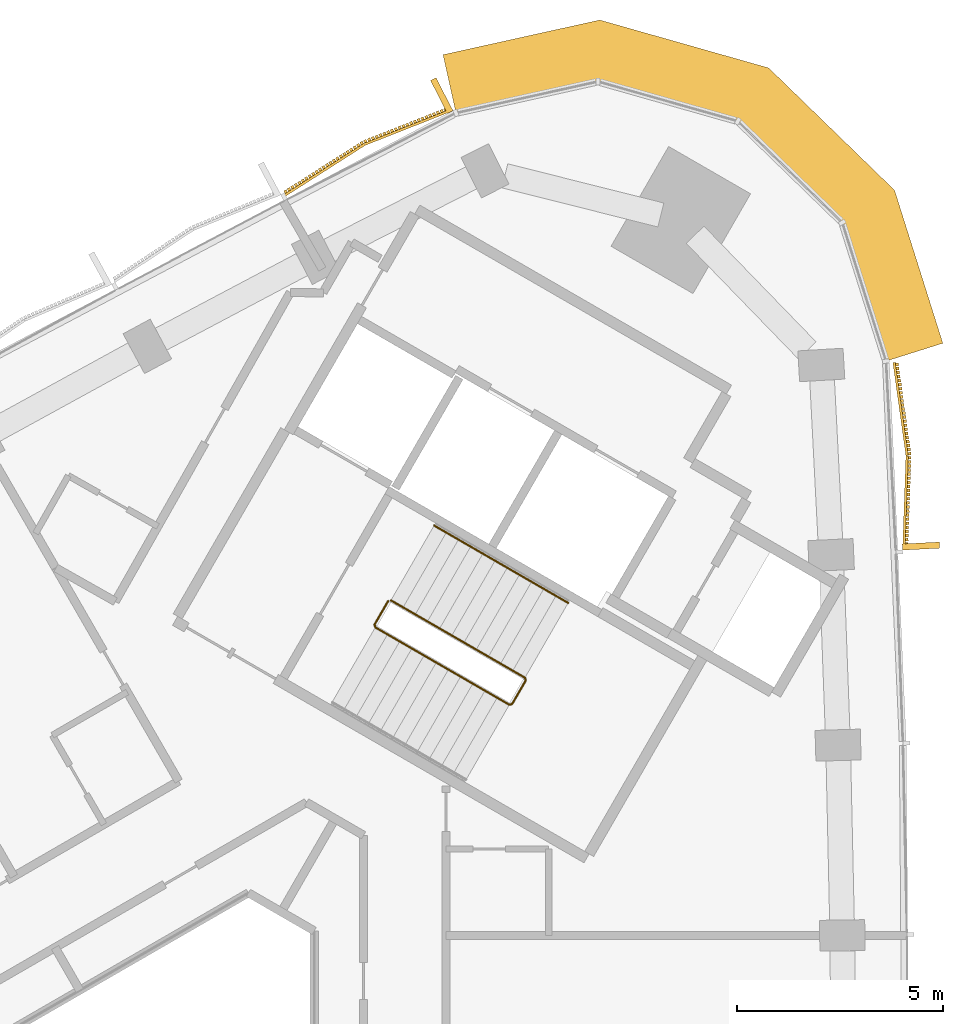
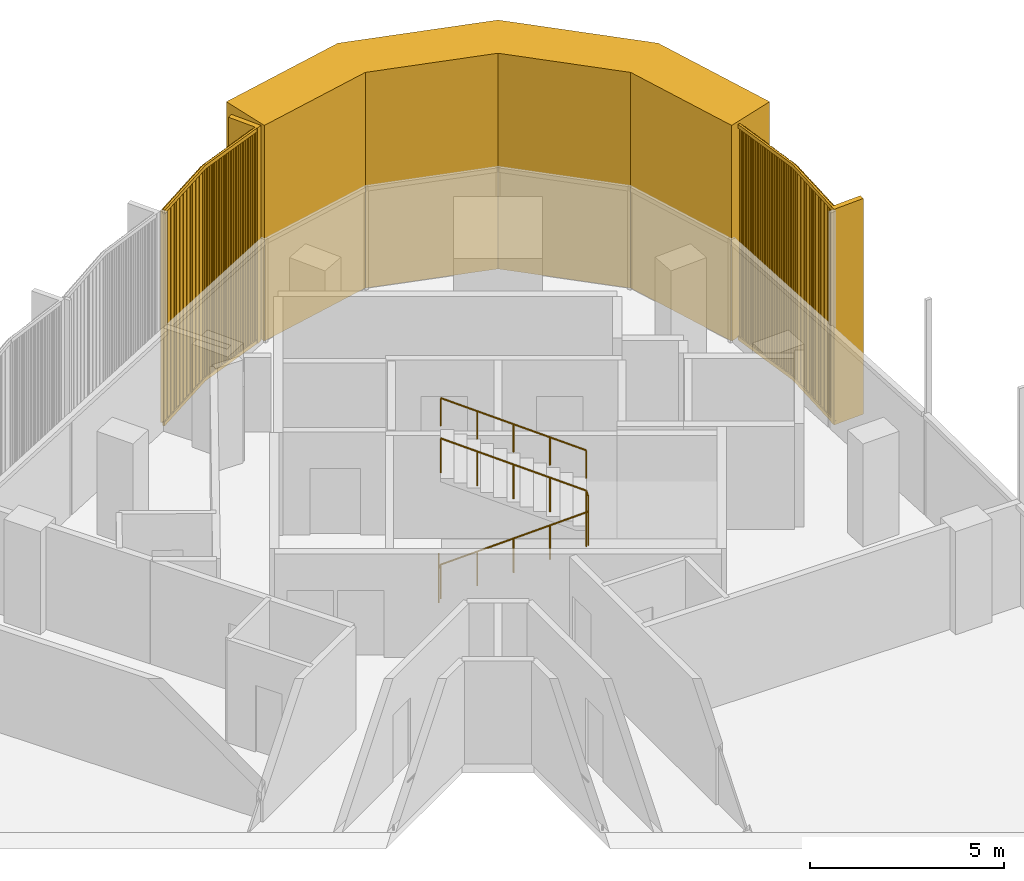
# One storey, part 14 of 14: 3 coverings, 2 railings.
"""IFC4 building model written with IfcOpenShell, lengths in metres."""

from ifc_helpers import new_model, si_unit, direction, frame, frame_2d, origin, origin_2d, place, context, subcontext, project, spatial, polyline, rectangle, circle, outline, extrude, source, transform, mapped, material, layer, layer_set, type_object, element, save


model = new_model("IFC4")

# Units and contexts
model_context = context("Model", 3, precision=1e-05, world=origin(), true_north=direction((0.0, 1.0)))
body_context = subcontext(model_context, "Body", "Model", "MODEL_VIEW")
ifc_project = project(units=[si_unit("LENGTHUNIT", "METRE"), si_unit("AREAUNIT", "SQUARE_METRE"), si_unit("VOLUMEUNIT", "CUBIC_METRE"), si_unit("PLANEANGLEUNIT", "RADIAN"), si_unit("MASSUNIT", "GRAM", prefix="KILO")], contexts=[model_context])

# Site, building, storey
site_placement = place(None, origin())
site = spatial("IfcSite", under=ifc_project, at=site_placement, CompositionType="ELEMENT")
building_placement = place(site_placement, origin())
building = spatial("IfcBuilding", under=site, at=building_placement, Name="Tamra Quay Hotel Tower", CompositionType="ELEMENT")
storey_placement = place(building_placement, frame((0.0, 0.0, 250.199951171875)))
storey = spatial("IfcBuildingStorey", under=building, at=storey_placement, Name="L63", CompositionType="ELEMENT", Elevation=250.199951171875)

# Covering
ifc_material_1 = material(Name="Precast concrete M60 terracotta-coloured", Category="masonry")
ifc_layer = layer(ifc_material_1, 1.449951171875)
ifc_layer_set = layer_set([ifc_layer], Name="CORNER PIER PANEL")
covering_type_1 = type_object("IfcCoveringType", Name="CORNER PIER PANEL", PredefinedType="CLADDING", material=ifc_layer_set)
covering_1_placement = place(storey_placement, origin())
element("IfcCovering", 1, at=covering_1_placement, inside=storey, type_object=covering_type_1, Name="Corner pier L63.east", PredefinedType="CLADDING", context=body_context, shape_type="SweptSolid", body=[
    extrude(outline(polyline([(17.69677734375, 18.5830078125), (19.07958984375, 19.019287109375), (17.90576171875, 22.739501953125), (14.844970703125, 25.712158203125), (10.739990234375, 26.876708984375), (6.931396484375, 26.033203125), (7.244873046875, 24.617431640625), (10.6962890625, 25.3818359375), (14.09716796875, 24.4169921875), (16.633056640625, 21.9541015625), (17.69677734375, 18.5830078125)])), origin(), (0.0, 0.0, 1.0), 6.800048828125),
])

# Railings
ifc_material_2 = material(Name="Stair guard 1100")
railing_type_1 = type_object("IfcRailingType", Name="Stair guard 1100", PredefinedType="GUARDRAIL", material=ifc_material_2)
railing_1_placement = place(storey_placement, frame((5.595458984375, 12.751953125, 0.0)))
element("IfcRailing", 2, at=railing_1_placement, inside=storey, type_object=railing_type_1, Name="GR", PredefinedType="GUARDRAIL", context=body_context, shape_type="SweptSolid", body=[
    extrude(circle(Radius=0.02392578125, at=origin_2d()), frame((0.0, 0.0, 1.076171875), z_axis=(-0.499765215335, -0.866160914346, 0.0), x_axis=(0.866160914346, -0.499765215335, 0.0)), (0.0, 0.0, 1.0), 0.658935546875),
    extrude(circle(Radius=0.02392578125, at=origin_2d()), frame((-0.329345703125, -0.57080078125, 1.076171875), z_axis=(0.110378772244, -0.410609032747, 0.905105932399), x_axis=(0.965715946433, 0.259601060869, 0.0)), (0.0, 0.0, 1.0), 0.165771484375),
    extrude(circle(Radius=0.02392578125, at=origin_2d()), frame((-0.31103515625, -0.638916015625, 1.22607421875), z_axis=(0.793078462799, -0.457933869594, 0.401650498471), x_axis=(0.500040788363, 0.866001853331, 0.0)), (0.0, 0.0, 1.0), 4.10791015625),
    extrude(circle(Radius=0.02392578125, at=origin_2d()), frame((2.94677734375, -2.52001953125, 2.8759765625), z_axis=(0.965948051503, 0.258736085224, 0.0), x_axis=(-0.258736085224, 0.965948051503, 0.0)), (0.0, 0.0, 1.0), 0.07080078125),
    extrude(circle(Radius=0.02392578125, at=origin_2d()), frame((3.01513671875, -2.501708984375, 2.8759765625), z_axis=(0.500043078269, 0.866000531106, 0.0), x_axis=(-0.866000531106, 0.500043078269, 0.0)), (0.0, 0.0, 1.0), 0.6591796875),
    extrude(circle(Radius=0.02392578125, at=origin_2d()), frame((3.3447265625, -1.930908203125, 2.8759765625), z_axis=(-0.110525977783, 0.411156637351, 0.904839338113), x_axis=(-0.965715946433, -0.259601060869, 0.0)), (0.0, 0.0, 1.0), 0.165771484375),
    extrude(circle(Radius=0.02392578125, at=origin_2d()), frame((3.326416015625, -1.86279296875, 3.02587890625), z_axis=(-0.793081581205, 0.457901355053, 0.401681409319), x_axis=(-0.500012686397, -0.866018079166, 0.0)), (0.0, 0.0, 1.0), 4.108154296875),
    extrude(circle(Radius=0.02099609375, at=origin_2d()), origin(), (0.0, 0.0, 1.0), 1.052001953125),
    extrude(circle(Radius=0.02099609375, at=origin_2d()), frame((-0.329345703125, -0.57080078125, 0.0)), (0.0, 0.0, 1.0), 1.052001953125),
    extrude(circle(Radius=0.02099609375, at=origin_2d()), frame((-0.31103515625, -0.638916015625, 0.150146484375)), (0.0, 0.0, 1.0), 1.052001953125),
    extrude(circle(Radius=0.02099609375, at=origin_2d()), frame((0.50341796875, -1.109130859375, 0.5625)), (0.0, 0.0, 1.0), 1.052001953125),
    extrude(circle(Radius=0.02099609375, at=origin_2d()), frame((1.31787109375, -1.57958984375, 0.97509765625)), (0.0, 0.0, 1.0), 1.052001953125),
    extrude(circle(Radius=0.02099609375, at=origin_2d()), frame((2.13232421875, -2.0498046875, 1.3876953125)), (0.0, 0.0, 1.0), 1.052001953125),
    extrude(circle(Radius=0.02099609375, at=origin_2d()), frame((2.94677734375, -2.52001953125, 1.800048828125)), (0.0, 0.0, 1.0), 1.052001953125),
    extrude(circle(Radius=0.02099609375, at=origin_2d()), frame((3.01513671875, -2.501708984375, 1.800048828125)), (0.0, 0.0, 1.0), 1.052001953125),
    extrude(circle(Radius=0.02099609375, at=origin_2d()), frame((3.3447265625, -1.930908203125, 1.800048828125)), (0.0, 0.0, 1.0), 1.052001953125),
    extrude(circle(Radius=0.02099609375, at=origin_2d()), frame((3.326416015625, -1.86279296875, 1.949951171875)), (0.0, 0.0, 1.0), 1.052001953125),
    extrude(circle(Radius=0.02099609375, at=origin_2d()), frame((2.511962890625, -1.392578125, 2.362548828125)), (0.0, 0.0, 1.0), 1.052001953125),
    extrude(circle(Radius=0.02099609375, at=origin_2d()), frame((1.697265625, -0.92236328125, 2.77490234375)), (0.0, 0.0, 1.0), 1.052001953125),
    extrude(circle(Radius=0.02099609375, at=origin_2d()), frame((0.8828125, -0.451904296875, 3.1875)), (0.0, 0.0, 1.0), 1.052001953125),
    extrude(circle(Radius=0.02099609375, at=origin_2d()), frame((0.068359375, 0.018310546875, 3.60009765625)), (0.0, 0.0, 1.0), 1.052001953125),
])
ifc_material_3 = material(Name="Stair handrail 900")
railing_type_2 = type_object("IfcRailingType", Name="Stair handrail 900", PredefinedType="HANDRAIL", material=ifc_material_3)
railing_2_placement = place(storey_placement, frame((9.971923828125, 12.7080078125, 1.949951171875)))
element("IfcRailing", 3, at=railing_2_placement, inside=storey, type_object=railing_type_2, Name="HR", PredefinedType="HANDRAIL", context=body_context, shape_type="SweptSolid", body=[
    extrude(circle(Radius=0.02392578125, at=origin_2d()), frame((0.0, 0.0, 0.8759765625), z_axis=(-0.793103162556, 0.457854384738, 0.401692339881), x_axis=(-0.499964013922, -0.86604617936, 0.0)), (0.0, 0.0, 1.0), 4.10791015625),
    extrude(circle(Radius=0.02099609375, at=origin_2d()), origin(), (0.0, 0.0, 1.0), 0.851806640625),
    extrude(circle(Radius=0.02099609375, at=origin_2d()), frame((-0.814453125, 0.47021484375, 0.41259765625)), (0.0, 0.0, 1.0), 0.851806640625),
    extrude(circle(Radius=0.02099609375, at=origin_2d()), frame((-1.62890625, 0.9404296875, 0.8251953125)), (0.0, 0.0, 1.0), 0.851806640625),
    extrude(circle(Radius=0.02099609375, at=origin_2d()), frame((-2.443603515625, 1.41064453125, 1.237548828125)), (0.0, 0.0, 1.0), 0.851806640625),
    extrude(circle(Radius=0.02099609375, at=origin_2d()), frame((-3.258056640625, 1.880859375, 1.650146484375)), (0.0, 0.0, 1.0), 0.851806640625),
])

# Coverings
ifc_material_4 = material(Name="Terracotta baguette extruded", Category="masonry")
covering_type_2 = type_object("IfcCoveringType", Name="BAGUETTE SCREEN E-V H6800", PredefinedType="USERDEFINED", material=ifc_material_4)
shared_shape_1 = source(origin(), body_context, "Body", "SweptSolid", [
    extrude(rectangle(XDim=2.291259765625, YDim=0.06005859375, at=frame_2d((1.1455078125, 0.030029296875))), frame((-2.287841796875, -0.057861328125, -0.1201171875), z_axis=(0.0, 0.0, 1.0), x_axis=(0.996194698092, -0.087155742748, 0.0)), (0.0, 0.0, 1.0), 0.1201171875),
    extrude(rectangle(XDim=2.291259765625, YDim=0.06005859375, at=frame_2d((1.1455078125, 0.030029296875))), frame((-2.287841796875, -0.057861328125, -6.800048828125), z_axis=(0.0, 0.0, 1.0), x_axis=(0.996194698092, -0.087155742748, 0.0)), (0.0, 0.0, 1.0), 0.1201171875),
    extrude(rectangle(XDim=0.070068359375, YDim=0.10009765625, at=frame_2d((0.03515625, 0.050048828125))), frame((-2.267822265625, -0.13232421875, -6.739990234375)), (0.0, 0.0, 1.0), 6.679931640625),
    extrude(rectangle(XDim=0.070068359375, YDim=0.10009765625, at=frame_2d((0.03515625, 0.050048828125))), frame((-2.168701171875, -0.14111328125, -6.739990234375)), (0.0, 0.0, 1.0), 6.679931640625),
    extrude(rectangle(XDim=0.070068359375, YDim=0.10009765625, at=frame_2d((0.03515625, 0.050048828125))), frame((-2.0693359375, -0.149658203125, -6.739990234375)), (0.0, 0.0, 1.0), 6.679931640625),
    extrude(rectangle(XDim=0.070068359375, YDim=0.10009765625, at=frame_2d((0.03515625, 0.050048828125))), frame((-1.97021484375, -0.158447265625, -6.739990234375)), (0.0, 0.0, 1.0), 6.679931640625),
    extrude(rectangle(XDim=0.070068359375, YDim=0.10009765625, at=frame_2d((0.03515625, 0.050048828125))), frame((-1.870849609375, -0.1669921875, -6.739990234375)), (0.0, 0.0, 1.0), 6.679931640625),
    extrude(rectangle(XDim=0.070068359375, YDim=0.10009765625, at=frame_2d((0.03515625, 0.050048828125))), frame((-1.771728515625, -0.17578125, -6.739990234375)), (0.0, 0.0, 1.0), 6.679931640625),
    extrude(rectangle(XDim=0.070068359375, YDim=0.10009765625, at=frame_2d((0.03515625, 0.050048828125))), frame((-1.67236328125, -0.184326171875, -6.739990234375)), (0.0, 0.0, 1.0), 6.679931640625),
    extrude(rectangle(XDim=0.070068359375, YDim=0.10009765625, at=frame_2d((0.03515625, 0.050048828125))), frame((-1.5732421875, -0.193115234375, -6.739990234375)), (0.0, 0.0, 1.0), 6.679931640625),
    extrude(rectangle(XDim=0.070068359375, YDim=0.10009765625, at=frame_2d((0.03515625, 0.050048828125))), frame((-1.473876953125, -0.201904296875, -6.739990234375)), (0.0, 0.0, 1.0), 6.679931640625),
    extrude(rectangle(XDim=0.070068359375, YDim=0.10009765625, at=frame_2d((0.03515625, 0.050048828125))), frame((-1.374755859375, -0.21044921875, -6.739990234375)), (0.0, 0.0, 1.0), 6.679931640625),
    extrude(rectangle(XDim=0.070068359375, YDim=0.10009765625, at=frame_2d((0.03515625, 0.050048828125))), frame((-1.275390625, -0.21923828125, -6.739990234375)), (0.0, 0.0, 1.0), 6.679931640625),
    extrude(rectangle(XDim=0.070068359375, YDim=0.10009765625, at=frame_2d((0.03515625, 0.050048828125))), frame((-1.17626953125, -0.227783203125, -6.739990234375)), (0.0, 0.0, 1.0), 6.679931640625),
    extrude(rectangle(XDim=0.070068359375, YDim=0.10009765625, at=frame_2d((0.03515625, 0.050048828125))), frame((-1.076904296875, -0.236572265625, -6.739990234375)), (0.0, 0.0, 1.0), 6.679931640625),
    extrude(rectangle(XDim=0.070068359375, YDim=0.10009765625, at=frame_2d((0.03515625, 0.050048828125))), frame((-0.977783203125, -0.2451171875, -6.739990234375)), (0.0, 0.0, 1.0), 6.679931640625),
    extrude(rectangle(XDim=0.070068359375, YDim=0.10009765625, at=frame_2d((0.03515625, 0.050048828125))), frame((-0.87841796875, -0.25390625, -6.739990234375)), (0.0, 0.0, 1.0), 6.679931640625),
    extrude(rectangle(XDim=0.070068359375, YDim=0.10009765625, at=frame_2d((0.03515625, 0.050048828125))), frame((-0.779296875, -0.2626953125, -6.739990234375)), (0.0, 0.0, 1.0), 6.679931640625),
    extrude(rectangle(XDim=0.070068359375, YDim=0.10009765625, at=frame_2d((0.03515625, 0.050048828125))), frame((-0.679931640625, -0.271240234375, -6.739990234375)), (0.0, 0.0, 1.0), 6.679931640625),
    extrude(rectangle(XDim=0.070068359375, YDim=0.10009765625, at=frame_2d((0.03515625, 0.050048828125))), frame((-0.580810546875, -0.280029296875, -6.739990234375)), (0.0, 0.0, 1.0), 6.679931640625),
    extrude(rectangle(XDim=0.070068359375, YDim=0.10009765625, at=frame_2d((0.03515625, 0.050048828125))), frame((-0.481689453125, -0.28857421875, -6.739990234375)), (0.0, 0.0, 1.0), 6.679931640625),
    extrude(rectangle(XDim=0.070068359375, YDim=0.10009765625, at=frame_2d((0.03515625, 0.050048828125))), frame((-0.38232421875, -0.29736328125, -6.739990234375)), (0.0, 0.0, 1.0), 6.679931640625),
    extrude(rectangle(XDim=0.070068359375, YDim=0.10009765625, at=frame_2d((0.03515625, 0.050048828125))), frame((-0.283203125, -0.305908203125, -6.739990234375)), (0.0, 0.0, 1.0), 6.679931640625),
    extrude(rectangle(XDim=0.070068359375, YDim=0.10009765625, at=frame_2d((0.03515625, 0.050048828125))), frame((-0.183837890625, -0.314697265625, -6.739990234375)), (0.0, 0.0, 1.0), 6.679931640625),
    extrude(rectangle(XDim=0.070068359375, YDim=0.10009765625, at=frame_2d((0.03515625, 0.050048828125))), frame((-0.084716796875, -0.3232421875, -6.739990234375)), (0.0, 0.0, 1.0), 6.679931640625),
    extrude(rectangle(XDim=2.291259765625, YDim=0.06005859375, at=frame_2d((1.1455078125, 0.030029296875))), frame((0.005126953125, -0.257568359375, -0.1201171875), z_axis=(0.0, 0.0, 1.0), x_axis=(0.996194698092, 0.087155742748, 0.0)), (0.0, 0.0, 1.0), 0.1201171875),
    extrude(rectangle(XDim=2.291259765625, YDim=0.06005859375, at=frame_2d((1.1455078125, 0.030029296875))), frame((0.005126953125, -0.257568359375, -6.800048828125), z_axis=(0.0, 0.0, 1.0), x_axis=(0.996194698092, 0.087155742748, 0.0)), (0.0, 0.0, 1.0), 0.1201171875),
    extrude(rectangle(XDim=0.070068359375, YDim=0.10009765625, at=frame_2d((0.03515625, 0.050048828125))), frame((0.0146484375, -0.3232421875, -6.739990234375)), (0.0, 0.0, 1.0), 6.679931640625),
    extrude(rectangle(XDim=0.070068359375, YDim=0.10009765625, at=frame_2d((0.03515625, 0.050048828125))), frame((0.11376953125, -0.314697265625, -6.739990234375)), (0.0, 0.0, 1.0), 6.679931640625),
    extrude(rectangle(XDim=0.070068359375, YDim=0.10009765625, at=frame_2d((0.03515625, 0.050048828125))), frame((0.213134765625, -0.305908203125, -6.739990234375)), (0.0, 0.0, 1.0), 6.679931640625),
    extrude(rectangle(XDim=0.070068359375, YDim=0.10009765625, at=frame_2d((0.03515625, 0.050048828125))), frame((0.312255859375, -0.29736328125, -6.739990234375)), (0.0, 0.0, 1.0), 6.679931640625),
    extrude(rectangle(XDim=0.070068359375, YDim=0.10009765625, at=frame_2d((0.03515625, 0.050048828125))), frame((0.41162109375, -0.28857421875, -6.739990234375)), (0.0, 0.0, 1.0), 6.679931640625),
    extrude(rectangle(XDim=0.070068359375, YDim=0.10009765625, at=frame_2d((0.03515625, 0.050048828125))), frame((0.5107421875, -0.280029296875, -6.739990234375)), (0.0, 0.0, 1.0), 6.679931640625),
    extrude(rectangle(XDim=0.070068359375, YDim=0.10009765625, at=frame_2d((0.03515625, 0.050048828125))), frame((0.610107421875, -0.271240234375, -6.739990234375)), (0.0, 0.0, 1.0), 6.679931640625),
    extrude(rectangle(XDim=0.070068359375, YDim=0.10009765625, at=frame_2d((0.03515625, 0.050048828125))), frame((0.709228515625, -0.2626953125, -6.739990234375)), (0.0, 0.0, 1.0), 6.679931640625),
    extrude(rectangle(XDim=0.070068359375, YDim=0.10009765625, at=frame_2d((0.03515625, 0.050048828125))), frame((0.80859375, -0.25390625, -6.739990234375)), (0.0, 0.0, 1.0), 6.679931640625),
    extrude(rectangle(XDim=0.070068359375, YDim=0.10009765625, at=frame_2d((0.03515625, 0.050048828125))), frame((0.90771484375, -0.2451171875, -6.739990234375)), (0.0, 0.0, 1.0), 6.679931640625),
    extrude(rectangle(XDim=0.070068359375, YDim=0.10009765625, at=frame_2d((0.03515625, 0.050048828125))), frame((1.007080078125, -0.236572265625, -6.739990234375)), (0.0, 0.0, 1.0), 6.679931640625),
    extrude(rectangle(XDim=0.070068359375, YDim=0.10009765625, at=frame_2d((0.03515625, 0.050048828125))), frame((1.106201171875, -0.227783203125, -6.739990234375)), (0.0, 0.0, 1.0), 6.679931640625),
    extrude(rectangle(XDim=0.070068359375, YDim=0.10009765625, at=frame_2d((0.03515625, 0.050048828125))), frame((1.20556640625, -0.21923828125, -6.739990234375)), (0.0, 0.0, 1.0), 6.679931640625),
    extrude(rectangle(XDim=0.070068359375, YDim=0.10009765625, at=frame_2d((0.03515625, 0.050048828125))), frame((1.3046875, -0.21044921875, -6.739990234375)), (0.0, 0.0, 1.0), 6.679931640625),
    extrude(rectangle(XDim=0.070068359375, YDim=0.10009765625, at=frame_2d((0.03515625, 0.050048828125))), frame((1.404052734375, -0.201904296875, -6.739990234375)), (0.0, 0.0, 1.0), 6.679931640625),
    extrude(rectangle(XDim=0.070068359375, YDim=0.10009765625, at=frame_2d((0.03515625, 0.050048828125))), frame((1.503173828125, -0.193115234375, -6.739990234375)), (0.0, 0.0, 1.0), 6.679931640625),
    extrude(rectangle(XDim=0.070068359375, YDim=0.10009765625, at=frame_2d((0.03515625, 0.050048828125))), frame((1.6025390625, -0.184326171875, -6.739990234375)), (0.0, 0.0, 1.0), 6.679931640625),
    extrude(rectangle(XDim=0.070068359375, YDim=0.10009765625, at=frame_2d((0.03515625, 0.050048828125))), frame((1.70166015625, -0.17578125, -6.739990234375)), (0.0, 0.0, 1.0), 6.679931640625),
    extrude(rectangle(XDim=0.070068359375, YDim=0.10009765625, at=frame_2d((0.03515625, 0.050048828125))), frame((1.801025390625, -0.1669921875, -6.739990234375)), (0.0, 0.0, 1.0), 6.679931640625),
    extrude(rectangle(XDim=0.070068359375, YDim=0.10009765625, at=frame_2d((0.03515625, 0.050048828125))), frame((1.900146484375, -0.158447265625, -6.739990234375)), (0.0, 0.0, 1.0), 6.679931640625),
    extrude(rectangle(XDim=0.070068359375, YDim=0.10009765625, at=frame_2d((0.03515625, 0.050048828125))), frame((1.99951171875, -0.149658203125, -6.739990234375)), (0.0, 0.0, 1.0), 6.679931640625),
    extrude(rectangle(XDim=0.070068359375, YDim=0.10009765625, at=frame_2d((0.03515625, 0.050048828125))), frame((2.0986328125, -0.14111328125, -6.739990234375)), (0.0, 0.0, 1.0), 6.679931640625),
    extrude(rectangle(XDim=0.070068359375, YDim=0.10009765625, at=frame_2d((0.03515625, 0.050048828125))), frame((2.197998046875, -0.13232421875, -6.739990234375)), (0.0, 0.0, 1.0), 6.679931640625),
    extrude(rectangle(XDim=0.14990234375, YDim=0.902099609375, at=frame_2d((0.074951171875, 0.451171875))), frame((-2.282470703125, -0.89990234375, -6.800048828125)), (0.0, 0.0, 1.0), 6.800048828125),
])
covering_2_placement = place(storey_placement, frame((17.984130859375, 16.2705078125, 6.800048828125), z_axis=(0.0, 0.0, 1.0), x_axis=(-0.051403368539, 0.998677972974, 0.0)))
element("IfcCovering", 4, at=covering_2_placement, inside=storey, type_object=covering_type_2, Name="Baguette screen L63.E.f07", ObjectType="BAGUETTE SCREEN", PredefinedType="USERDEFINED", context=body_context, shape_type="MappedRepresentation", body=[
    mapped(shared_shape_1, transform((0.0, 0.0, 0.0), scale=1.0)),
])
covering_type_3 = type_object("IfcCoveringType", Name="BAGUETTE SCREEN NW-V H6800", PredefinedType="USERDEFINED", material=ifc_material_4)
shared_shape_2 = source(origin(), body_context, "Body", "SweptSolid", [
    extrude(rectangle(XDim=2.29296875, YDim=0.06005859375, at=frame_2d((1.146484375, 0.030029296875))), frame((-2.288330078125, -0.0576171875, -0.1201171875), z_axis=(0.0, 0.0, 1.0), x_axis=(0.995396198367, -0.09584575252, 0.0)), (0.0, 0.0, 1.0), 0.1201171875),
    extrude(rectangle(XDim=2.29296875, YDim=0.06005859375, at=frame_2d((1.146484375, 0.030029296875))), frame((-2.288330078125, -0.0576171875, -6.800048828125), z_axis=(0.0, 0.0, 1.0), x_axis=(0.995396198367, -0.09584575252, 0.0)), (0.0, 0.0, 1.0), 0.1201171875),
    extrude(rectangle(XDim=0.070068359375, YDim=0.10009765625, at=frame_2d((0.03515625, 0.050048828125))), frame((-2.267822265625, -0.1328125, -6.739990234375)), (0.0, 0.0, 1.0), 6.679931640625),
    extrude(rectangle(XDim=0.070068359375, YDim=0.10009765625, at=frame_2d((0.03515625, 0.050048828125))), frame((-2.168701171875, -0.142333984375, -6.739990234375)), (0.0, 0.0, 1.0), 6.679931640625),
    extrude(rectangle(XDim=0.070068359375, YDim=0.10009765625, at=frame_2d((0.03515625, 0.050048828125))), frame((-2.0693359375, -0.15185546875, -6.739990234375)), (0.0, 0.0, 1.0), 6.679931640625),
    extrude(rectangle(XDim=0.070068359375, YDim=0.10009765625, at=frame_2d((0.03515625, 0.050048828125))), frame((-1.97021484375, -0.161376953125, -6.739990234375)), (0.0, 0.0, 1.0), 6.679931640625),
    extrude(rectangle(XDim=0.070068359375, YDim=0.10009765625, at=frame_2d((0.03515625, 0.050048828125))), frame((-1.870849609375, -0.1708984375, -6.739990234375)), (0.0, 0.0, 1.0), 6.679931640625),
    extrude(rectangle(XDim=0.070068359375, YDim=0.10009765625, at=frame_2d((0.03515625, 0.050048828125))), frame((-1.771728515625, -0.1806640625, -6.739990234375)), (0.0, 0.0, 1.0), 6.679931640625),
    extrude(rectangle(XDim=0.070068359375, YDim=0.10009765625, at=frame_2d((0.03515625, 0.050048828125))), frame((-1.67236328125, -0.190185546875, -6.739990234375)), (0.0, 0.0, 1.0), 6.679931640625),
    extrude(rectangle(XDim=0.070068359375, YDim=0.10009765625, at=frame_2d((0.03515625, 0.050048828125))), frame((-1.5732421875, -0.19970703125, -6.739990234375)), (0.0, 0.0, 1.0), 6.679931640625),
    extrude(rectangle(XDim=0.070068359375, YDim=0.10009765625, at=frame_2d((0.03515625, 0.050048828125))), frame((-1.473876953125, -0.209228515625, -6.739990234375)), (0.0, 0.0, 1.0), 6.679931640625),
    extrude(rectangle(XDim=0.070068359375, YDim=0.10009765625, at=frame_2d((0.03515625, 0.050048828125))), frame((-1.374755859375, -0.21875, -6.739990234375)), (0.0, 0.0, 1.0), 6.679931640625),
    extrude(rectangle(XDim=0.070068359375, YDim=0.10009765625, at=frame_2d((0.03515625, 0.050048828125))), frame((-1.275390625, -0.228271484375, -6.739990234375)), (0.0, 0.0, 1.0), 6.679931640625),
    extrude(rectangle(XDim=0.070068359375, YDim=0.10009765625, at=frame_2d((0.03515625, 0.050048828125))), frame((-1.17626953125, -0.23779296875, -6.739990234375)), (0.0, 0.0, 1.0), 6.679931640625),
    extrude(rectangle(XDim=0.070068359375, YDim=0.10009765625, at=frame_2d((0.03515625, 0.050048828125))), frame((-1.076904296875, -0.24755859375, -6.739990234375)), (0.0, 0.0, 1.0), 6.679931640625),
    extrude(rectangle(XDim=0.070068359375, YDim=0.10009765625, at=frame_2d((0.03515625, 0.050048828125))), frame((-0.977783203125, -0.257080078125, -6.739990234375)), (0.0, 0.0, 1.0), 6.679931640625),
    extrude(rectangle(XDim=0.070068359375, YDim=0.10009765625, at=frame_2d((0.03515625, 0.050048828125))), frame((-0.87841796875, -0.2666015625, -6.739990234375)), (0.0, 0.0, 1.0), 6.679931640625),
    extrude(rectangle(XDim=0.070068359375, YDim=0.10009765625, at=frame_2d((0.03515625, 0.050048828125))), frame((-0.779296875, -0.276123046875, -6.739990234375)), (0.0, 0.0, 1.0), 6.679931640625),
    extrude(rectangle(XDim=0.070068359375, YDim=0.10009765625, at=frame_2d((0.03515625, 0.050048828125))), frame((-0.679931640625, -0.28564453125, -6.739990234375)), (0.0, 0.0, 1.0), 6.679931640625),
    extrude(rectangle(XDim=0.070068359375, YDim=0.10009765625, at=frame_2d((0.03515625, 0.050048828125))), frame((-0.580810546875, -0.295166015625, -6.739990234375)), (0.0, 0.0, 1.0), 6.679931640625),
    extrude(rectangle(XDim=0.070068359375, YDim=0.10009765625, at=frame_2d((0.03515625, 0.050048828125))), frame((-0.481689453125, -0.3046875, -6.739990234375)), (0.0, 0.0, 1.0), 6.679931640625),
    extrude(rectangle(XDim=0.070068359375, YDim=0.10009765625, at=frame_2d((0.03515625, 0.050048828125))), frame((-0.38232421875, -0.314453125, -6.739990234375)), (0.0, 0.0, 1.0), 6.679931640625),
    extrude(rectangle(XDim=0.070068359375, YDim=0.10009765625, at=frame_2d((0.03515625, 0.050048828125))), frame((-0.283203125, -0.323974609375, -6.739990234375)), (0.0, 0.0, 1.0), 6.679931640625),
    extrude(rectangle(XDim=0.070068359375, YDim=0.10009765625, at=frame_2d((0.03515625, 0.050048828125))), frame((-0.183837890625, -0.33349609375, -6.739990234375)), (0.0, 0.0, 1.0), 6.679931640625),
    extrude(rectangle(XDim=0.070068359375, YDim=0.10009765625, at=frame_2d((0.03515625, 0.050048828125))), frame((-0.084716796875, -0.343017578125, -6.739990234375)), (0.0, 0.0, 1.0), 6.679931640625),
    extrude(rectangle(XDim=2.29296875, YDim=0.06005859375, at=frame_2d((1.146484375, 0.030029296875))), frame((0.005859375, -0.277587890625, -0.1201171875), z_axis=(0.0, 0.0, 1.0), x_axis=(0.995396198367, 0.09584575252, 0.0)), (0.0, 0.0, 1.0), 0.1201171875),
    extrude(rectangle(XDim=2.29296875, YDim=0.06005859375, at=frame_2d((1.146484375, 0.030029296875))), frame((0.005859375, -0.277587890625, -6.800048828125), z_axis=(0.0, 0.0, 1.0), x_axis=(0.995396198367, 0.09584575252, 0.0)), (0.0, 0.0, 1.0), 0.1201171875),
    extrude(rectangle(XDim=0.070068359375, YDim=0.10009765625, at=frame_2d((0.03515625, 0.050048828125))), frame((0.0146484375, -0.343017578125, -6.739990234375)), (0.0, 0.0, 1.0), 6.679931640625),
    extrude(rectangle(XDim=0.070068359375, YDim=0.10009765625, at=frame_2d((0.03515625, 0.050048828125))), frame((0.11376953125, -0.33349609375, -6.739990234375)), (0.0, 0.0, 1.0), 6.679931640625),
    extrude(rectangle(XDim=0.070068359375, YDim=0.10009765625, at=frame_2d((0.03515625, 0.050048828125))), frame((0.213134765625, -0.323974609375, -6.739990234375)), (0.0, 0.0, 1.0), 6.679931640625),
    extrude(rectangle(XDim=0.070068359375, YDim=0.10009765625, at=frame_2d((0.03515625, 0.050048828125))), frame((0.312255859375, -0.314453125, -6.739990234375)), (0.0, 0.0, 1.0), 6.679931640625),
    extrude(rectangle(XDim=0.070068359375, YDim=0.10009765625, at=frame_2d((0.03515625, 0.050048828125))), frame((0.41162109375, -0.3046875, -6.739990234375)), (0.0, 0.0, 1.0), 6.679931640625),
    extrude(rectangle(XDim=0.070068359375, YDim=0.10009765625, at=frame_2d((0.03515625, 0.050048828125))), frame((0.5107421875, -0.295166015625, -6.739990234375)), (0.0, 0.0, 1.0), 6.679931640625),
    extrude(rectangle(XDim=0.070068359375, YDim=0.10009765625, at=frame_2d((0.03515625, 0.050048828125))), frame((0.610107421875, -0.28564453125, -6.739990234375)), (0.0, 0.0, 1.0), 6.679931640625),
    extrude(rectangle(XDim=0.070068359375, YDim=0.10009765625, at=frame_2d((0.03515625, 0.050048828125))), frame((0.709228515625, -0.276123046875, -6.739990234375)), (0.0, 0.0, 1.0), 6.679931640625),
    extrude(rectangle(XDim=0.070068359375, YDim=0.10009765625, at=frame_2d((0.03515625, 0.050048828125))), frame((0.80859375, -0.2666015625, -6.739990234375)), (0.0, 0.0, 1.0), 6.679931640625),
    extrude(rectangle(XDim=0.070068359375, YDim=0.10009765625, at=frame_2d((0.03515625, 0.050048828125))), frame((0.90771484375, -0.257080078125, -6.739990234375)), (0.0, 0.0, 1.0), 6.679931640625),
    extrude(rectangle(XDim=0.070068359375, YDim=0.10009765625, at=frame_2d((0.03515625, 0.050048828125))), frame((1.007080078125, -0.24755859375, -6.739990234375)), (0.0, 0.0, 1.0), 6.679931640625),
    extrude(rectangle(XDim=0.070068359375, YDim=0.10009765625, at=frame_2d((0.03515625, 0.050048828125))), frame((1.106201171875, -0.23779296875, -6.739990234375)), (0.0, 0.0, 1.0), 6.679931640625),
    extrude(rectangle(XDim=0.070068359375, YDim=0.10009765625, at=frame_2d((0.03515625, 0.050048828125))), frame((1.20556640625, -0.228271484375, -6.739990234375)), (0.0, 0.0, 1.0), 6.679931640625),
    extrude(rectangle(XDim=0.070068359375, YDim=0.10009765625, at=frame_2d((0.03515625, 0.050048828125))), frame((1.3046875, -0.21875, -6.739990234375)), (0.0, 0.0, 1.0), 6.679931640625),
    extrude(rectangle(XDim=0.070068359375, YDim=0.10009765625, at=frame_2d((0.03515625, 0.050048828125))), frame((1.404052734375, -0.209228515625, -6.739990234375)), (0.0, 0.0, 1.0), 6.679931640625),
    extrude(rectangle(XDim=0.070068359375, YDim=0.10009765625, at=frame_2d((0.03515625, 0.050048828125))), frame((1.503173828125, -0.19970703125, -6.739990234375)), (0.0, 0.0, 1.0), 6.679931640625),
    extrude(rectangle(XDim=0.070068359375, YDim=0.10009765625, at=frame_2d((0.03515625, 0.050048828125))), frame((1.6025390625, -0.190185546875, -6.739990234375)), (0.0, 0.0, 1.0), 6.679931640625),
    extrude(rectangle(XDim=0.070068359375, YDim=0.10009765625, at=frame_2d((0.03515625, 0.050048828125))), frame((1.70166015625, -0.1806640625, -6.739990234375)), (0.0, 0.0, 1.0), 6.679931640625),
    extrude(rectangle(XDim=0.070068359375, YDim=0.10009765625, at=frame_2d((0.03515625, 0.050048828125))), frame((1.801025390625, -0.1708984375, -6.739990234375)), (0.0, 0.0, 1.0), 6.679931640625),
    extrude(rectangle(XDim=0.070068359375, YDim=0.10009765625, at=frame_2d((0.03515625, 0.050048828125))), frame((1.900146484375, -0.161376953125, -6.739990234375)), (0.0, 0.0, 1.0), 6.679931640625),
    extrude(rectangle(XDim=0.070068359375, YDim=0.10009765625, at=frame_2d((0.03515625, 0.050048828125))), frame((1.99951171875, -0.15185546875, -6.739990234375)), (0.0, 0.0, 1.0), 6.679931640625),
    extrude(rectangle(XDim=0.070068359375, YDim=0.10009765625, at=frame_2d((0.03515625, 0.050048828125))), frame((2.0986328125, -0.142333984375, -6.739990234375)), (0.0, 0.0, 1.0), 6.679931640625),
    extrude(rectangle(XDim=0.070068359375, YDim=0.10009765625, at=frame_2d((0.03515625, 0.050048828125))), frame((2.197998046875, -0.1328125, -6.739990234375)), (0.0, 0.0, 1.0), 6.679931640625),
    extrude(rectangle(XDim=0.14990234375, YDim=0.902099609375, at=frame_2d((0.074951171875, 0.451171875))), frame((-2.282470703125, -0.89990234375, -6.800048828125)), (0.0, 0.0, 1.0), 6.800048828125),
])
covering_3_placement = place(storey_placement, frame((5.13720703125, 23.63427734375, 6.800048828125), z_axis=(0.0, 0.0, 1.0), x_axis=(-0.890582179064, -0.454822363492, 0.0)))
element("IfcCovering", 5, at=covering_3_placement, inside=storey, type_object=covering_type_3, Name="Baguette screen L63.NW.f00", ObjectType="BAGUETTE SCREEN", PredefinedType="USERDEFINED", context=body_context, shape_type="MappedRepresentation", body=[
    mapped(shared_shape_2, transform((0.0, 0.0, 0.0), scale=1.0)),
])

save(model, "model.ifc")
